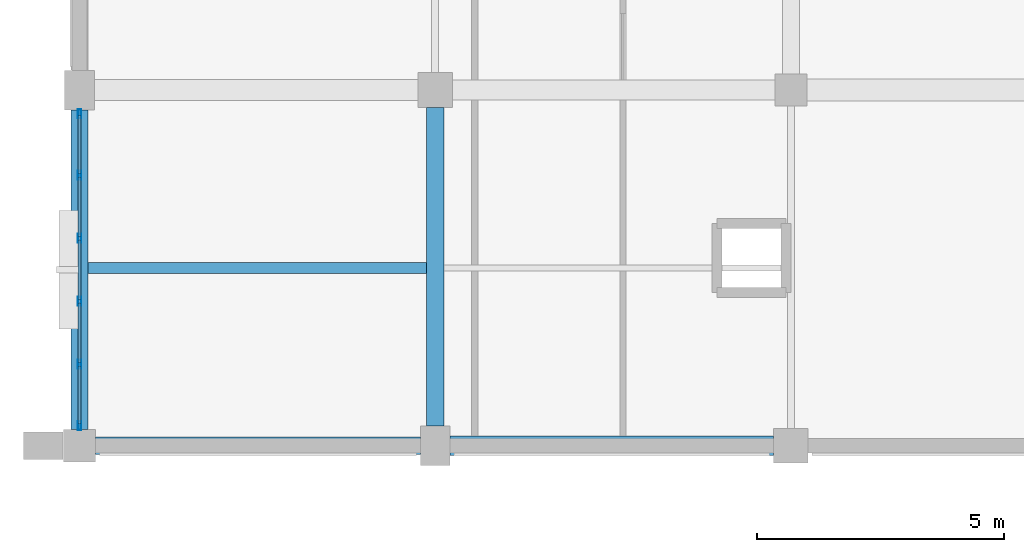
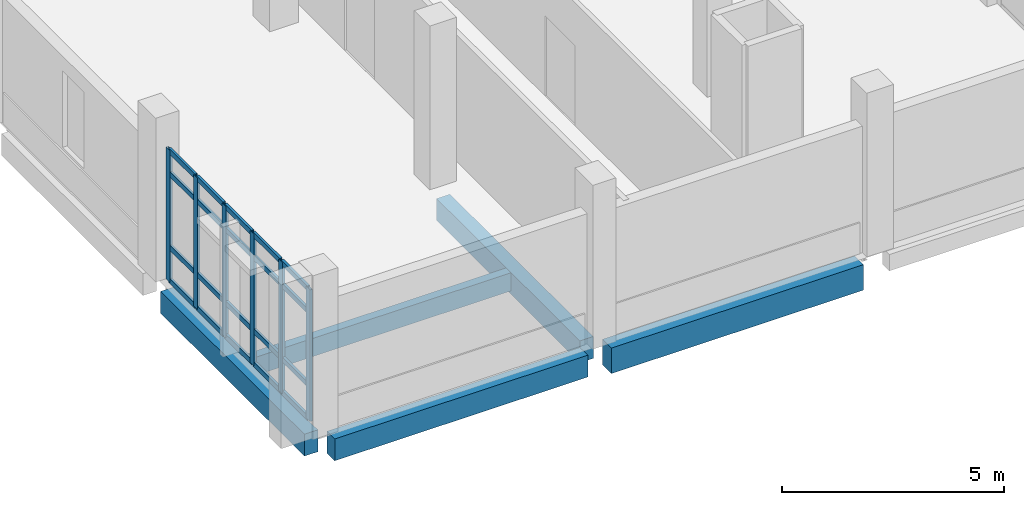
# One storey, part 9 of 134: 26 members, 5 beams, 1 element without a shape of its own.
"""IFC4 building model written with IfcOpenShell, lengths in metres."""

from ifc_helpers import new_model, si_unit, direction, frame, origin, origin_2d, place, context, subcontext, project, spatial, rectangle, hollow_rectangle, extrude, material, material_profile, profile_set, type_object, element, aggregate, save


model = new_model("IFC4")

# Units and contexts
model_context = context("Model", 3, precision=1e-05, world=origin(), true_north=direction((0.0, 1.0)))
body_context = subcontext(model_context, "Body", "Model", "MODEL_VIEW")
ifc_project = project(units=[si_unit("LENGTHUNIT", "METRE"), si_unit("AREAUNIT", "SQUARE_METRE"), si_unit("VOLUMEUNIT", "CUBIC_METRE"), si_unit("PLANEANGLEUNIT", "RADIAN"), si_unit("MASSUNIT", "GRAM", prefix="KILO")], contexts=[model_context])

# Site, building, storey
site_placement = place(None, origin())
site = spatial("IfcSite", under=ifc_project, at=site_placement, CompositionType="ELEMENT")
building_placement = place(site_placement, origin())
building = spatial("IfcBuilding", under=site, at=building_placement, Name="Kalluvel Institute of Natural Sciences", CompositionType="ELEMENT")
storey_placement = place(building_placement, frame((0.0, 0.0, 5.39990234375)))
storey = spatial("IfcBuildingStorey", under=building, at=storey_placement, Name="L01", CompositionType="ELEMENT", Elevation=5.39990234375)

# Beam
ifc_material_1 = material(Name="Concrete M40", Category="concrete")
ifc_material_profile_1 = material_profile(ifc_material_1, rectangle(XDim=0.35009765625, YDim=0.60009765625, at=origin_2d()), Name="RCB 350x600")
ifc_profile_set_1 = profile_set([ifc_material_profile_1], Name="Concrete M40")
beam_type_1 = type_object("IfcBeamType", Name="BM-RC350x600", PredefinedType="BEAM", material=ifc_profile_set_1)
beam_1_placement = place(storey_placement, frame((21.199951171875, 14.39990234375, -0.599853515625), z_axis=(0.0, 1.0, 0.0), x_axis=(-1.0, 0.0, 0.0)))
element("IfcBeam", 1, at=beam_1_placement, inside=storey, type_object=beam_type_1, Name="L01 girder GIR-L01-NS-X212-Y140", PredefinedType="BEAM", context=body_context, shape_type="SweptSolid", body=[
    extrude(rectangle(XDim=0.35009765625, YDim=0.60009765625, at=origin_2d()), origin(), (0.0, 0.0, 1.0), 6.4501953125),
])

# Curtain wall, members
ifc_material_2 = material(Name="Aluminium AW-6063 T6", Category="aluminium")
curtain_wall_type = type_object("IfcCurtainWallType", Name="CW-DRY-45", PredefinedType="USERDEFINED", material=ifc_material_2)
curtain_wall_placement = place(storey_placement, origin())
curtain_wall = element("IfcCurtainWall", 2, at=curtain_wall_placement, inside=storey, type_object=curtain_wall_type, Name="L01 Gothic lancet curtain wall CWA-L01-X140-Y144", ObjectType="UNITISED LANCET FACADE", PredefinedType="USERDEFINED")
ifc_material_profile_2 = material_profile(ifc_material_2, hollow_rectangle(XDim=0.06494140625, YDim=0.179931640625, WallThickness=0.00439453125, at=origin_2d()), Name="CWM 65x180")
ifc_profile_set_2 = profile_set([ifc_material_profile_2], Name="Aluminium AW-6063 T6")
member_type_1 = type_object("IfcMemberType", Name="CWM-65x180", PredefinedType="MULLION", material=ifc_profile_set_2)
member_1_placement = place(storey_placement, frame((14.0, 14.407470703125, 0.0), z_axis=(0.0, 0.0, 1.0), x_axis=(-1.0, 0.0, 0.0)))
member_1 = element("IfcMember", 3, at=member_1_placement, type_object=member_type_1, Name="CW-03 mullion 1", PredefinedType="MULLION", context=body_context, shape_type="SweptSolid", body=[
    extrude(hollow_rectangle(XDim=0.06494140625, YDim=0.179931640625, WallThickness=0.00439453125, at=origin_2d()), origin(), (0.0, 0.0, 1.0), 3.6201171875),
])
member_2_placement = place(storey_placement, frame((14.0, 15.64990234375, 0.0), z_axis=(0.0, 0.0, 1.0), x_axis=(-1.0, 0.0, 0.0)))
member_2 = element("IfcMember", 4, at=member_2_placement, type_object=member_type_1, Name="CW-03 mullion 2", PredefinedType="MULLION", context=body_context, shape_type="SweptSolid", body=[
    extrude(hollow_rectangle(XDim=0.06494140625, YDim=0.179931640625, WallThickness=0.00439453125, at=origin_2d()), origin(), (0.0, 0.0, 1.0), 3.6201171875),
])
member_3_placement = place(storey_placement, frame((14.0, 16.925048828125, 0.0), z_axis=(0.0, 0.0, 1.0), x_axis=(-1.0, 0.0, 0.0)))
member_3 = element("IfcMember", 5, at=member_3_placement, type_object=member_type_1, Name="CW-03 mullion 3", PredefinedType="MULLION", context=body_context, shape_type="SweptSolid", body=[
    extrude(hollow_rectangle(XDim=0.06494140625, YDim=0.179931640625, WallThickness=0.00439453125, at=origin_2d()), origin(), (0.0, 0.0, 1.0), 3.6201171875),
])
member_4_placement = place(storey_placement, frame((14.0, 18.199951171875, 0.0), z_axis=(0.0, 0.0, 1.0), x_axis=(-1.0, 0.0, 0.0)))
member_4 = element("IfcMember", 6, at=member_4_placement, type_object=member_type_1, Name="CW-03 mullion 4", PredefinedType="MULLION", context=body_context, shape_type="SweptSolid", body=[
    extrude(hollow_rectangle(XDim=0.06494140625, YDim=0.179931640625, WallThickness=0.00439453125, at=origin_2d()), origin(), (0.0, 0.0, 1.0), 3.6201171875),
])
member_5_placement = place(storey_placement, frame((14.0, 19.47509765625, 0.0), z_axis=(0.0, 0.0, 1.0), x_axis=(-1.0, 0.0, 0.0)))
member_5 = element("IfcMember", 7, at=member_5_placement, type_object=member_type_1, Name="CW-03 mullion 5", PredefinedType="MULLION", context=body_context, shape_type="SweptSolid", body=[
    extrude(hollow_rectangle(XDim=0.06494140625, YDim=0.179931640625, WallThickness=0.00439453125, at=origin_2d()), origin(), (0.0, 0.0, 1.0), 3.6201171875),
])
member_6_placement = place(storey_placement, frame((14.0, 20.717529296875, 0.0), z_axis=(0.0, 0.0, 1.0), x_axis=(-1.0, 0.0, 0.0)))
member_6 = element("IfcMember", 8, at=member_6_placement, type_object=member_type_1, Name="CW-03 mullion 6", PredefinedType="MULLION", context=body_context, shape_type="SweptSolid", body=[
    extrude(hollow_rectangle(XDim=0.06494140625, YDim=0.179931640625, WallThickness=0.00439453125, at=origin_2d()), origin(), (0.0, 0.0, 1.0), 3.6201171875),
])
ifc_material_profile_3 = material_profile(ifc_material_2, hollow_rectangle(XDim=0.06494140625, YDim=0.139892578125, WallThickness=0.00439453125, at=origin_2d()), Name="CWT 65x140")
ifc_profile_set_3 = profile_set([ifc_material_profile_3], Name="Aluminium AW-6063 T6")
member_type_2 = type_object("IfcMemberType", Name="CWT-65x140", PredefinedType="USERDEFINED", material=ifc_profile_set_3)
member_7_placement = place(storey_placement, frame((14.0, 14.43994140625, 0.03271484375), z_axis=(0.0, 1.0, 0.0), x_axis=(-1.0, 0.0, 0.0)))
member_7 = element("IfcMember", 9, at=member_7_placement, type_object=member_type_2, Name="CW-03 transom 1.1", ObjectType="TRANSOM", PredefinedType="USERDEFINED", context=body_context, shape_type="SweptSolid", body=[
    extrude(hollow_rectangle(XDim=0.06494140625, YDim=0.139892578125, WallThickness=0.00439453125, at=origin_2d()), origin(), (0.0, 0.0, 1.0), 1.177490234375),
])
member_8_placement = place(storey_placement, frame((14.0, 14.43994140625, 0.9501953125), z_axis=(0.0, 1.0, 0.0), x_axis=(-1.0, 0.0, 0.0)))
member_8 = element("IfcMember", 10, at=member_8_placement, type_object=member_type_2, Name="CW-03 transom 1.2", ObjectType="TRANSOM", PredefinedType="USERDEFINED", context=body_context, shape_type="SweptSolid", body=[
    extrude(hollow_rectangle(XDim=0.06494140625, YDim=0.139892578125, WallThickness=0.00439453125, at=origin_2d()), origin(), (0.0, 0.0, 1.0), 1.177490234375),
])
member_9_placement = place(storey_placement, frame((14.0, 14.43994140625, 2.97021484375), z_axis=(0.0, 1.0, 0.0), x_axis=(-1.0, 0.0, 0.0)))
member_9 = element("IfcMember", 11, at=member_9_placement, type_object=member_type_2, Name="CW-03 transom 1.3", ObjectType="TRANSOM", PredefinedType="USERDEFINED", context=body_context, shape_type="SweptSolid", body=[
    extrude(hollow_rectangle(XDim=0.06494140625, YDim=0.139892578125, WallThickness=0.00439453125, at=origin_2d()), origin(), (0.0, 0.0, 1.0), 1.177490234375),
])
member_10_placement = place(storey_placement, frame((14.0, 14.43994140625, 3.587646484375), z_axis=(0.0, 1.0, 0.0), x_axis=(-1.0, 0.0, 0.0)))
member_10 = element("IfcMember", 12, at=member_10_placement, type_object=member_type_2, Name="CW-03 transom 1.4", ObjectType="TRANSOM", PredefinedType="USERDEFINED", context=body_context, shape_type="SweptSolid", body=[
    extrude(hollow_rectangle(XDim=0.06494140625, YDim=0.139892578125, WallThickness=0.00439453125, at=origin_2d()), origin(), (0.0, 0.0, 1.0), 1.177490234375),
])
member_11_placement = place(storey_placement, frame((14.0, 15.6826171875, 0.03271484375), z_axis=(0.0, 1.0, 0.0), x_axis=(-1.0, 0.0, 0.0)))
member_11 = element("IfcMember", 13, at=member_11_placement, type_object=member_type_2, Name="CW-03 transom 2.1", ObjectType="TRANSOM", PredefinedType="USERDEFINED", context=body_context, shape_type="SweptSolid", body=[
    extrude(hollow_rectangle(XDim=0.06494140625, YDim=0.139892578125, WallThickness=0.00439453125, at=origin_2d()), origin(), (0.0, 0.0, 1.0), 1.2099609375),
])
member_12_placement = place(storey_placement, frame((14.0, 15.6826171875, 0.9501953125), z_axis=(0.0, 1.0, 0.0), x_axis=(-1.0, 0.0, 0.0)))
member_12 = element("IfcMember", 14, at=member_12_placement, type_object=member_type_2, Name="CW-03 transom 2.2", ObjectType="TRANSOM", PredefinedType="USERDEFINED", context=body_context, shape_type="SweptSolid", body=[
    extrude(hollow_rectangle(XDim=0.06494140625, YDim=0.139892578125, WallThickness=0.00439453125, at=origin_2d()), origin(), (0.0, 0.0, 1.0), 1.2099609375),
])
member_13_placement = place(storey_placement, frame((14.0, 15.6826171875, 2.97021484375), z_axis=(0.0, 1.0, 0.0), x_axis=(-1.0, 0.0, 0.0)))
member_13 = element("IfcMember", 15, at=member_13_placement, type_object=member_type_2, Name="CW-03 transom 2.3", ObjectType="TRANSOM", PredefinedType="USERDEFINED", context=body_context, shape_type="SweptSolid", body=[
    extrude(hollow_rectangle(XDim=0.06494140625, YDim=0.139892578125, WallThickness=0.00439453125, at=origin_2d()), origin(), (0.0, 0.0, 1.0), 1.2099609375),
])
member_14_placement = place(storey_placement, frame((14.0, 15.6826171875, 3.587646484375), z_axis=(0.0, 1.0, 0.0), x_axis=(-1.0, 0.0, 0.0)))
member_14 = element("IfcMember", 16, at=member_14_placement, type_object=member_type_2, Name="CW-03 transom 2.4", ObjectType="TRANSOM", PredefinedType="USERDEFINED", context=body_context, shape_type="SweptSolid", body=[
    extrude(hollow_rectangle(XDim=0.06494140625, YDim=0.139892578125, WallThickness=0.00439453125, at=origin_2d()), origin(), (0.0, 0.0, 1.0), 1.2099609375),
])
member_15_placement = place(storey_placement, frame((14.0, 16.95751953125, 0.03271484375), z_axis=(0.0, 1.0, 0.0), x_axis=(-1.0, 0.0, 0.0)))
member_15 = element("IfcMember", 17, at=member_15_placement, type_object=member_type_2, Name="CW-03 transom 3.1", ObjectType="TRANSOM", PredefinedType="USERDEFINED", context=body_context, shape_type="SweptSolid", body=[
    extrude(hollow_rectangle(XDim=0.06494140625, YDim=0.139892578125, WallThickness=0.00439453125, at=origin_2d()), origin(), (0.0, 0.0, 1.0), 1.2099609375),
])
member_16_placement = place(storey_placement, frame((14.0, 16.95751953125, 0.9501953125), z_axis=(0.0, 1.0, 0.0), x_axis=(-1.0, 0.0, 0.0)))
member_16 = element("IfcMember", 18, at=member_16_placement, type_object=member_type_2, Name="CW-03 transom 3.2", ObjectType="TRANSOM", PredefinedType="USERDEFINED", context=body_context, shape_type="SweptSolid", body=[
    extrude(hollow_rectangle(XDim=0.06494140625, YDim=0.139892578125, WallThickness=0.00439453125, at=origin_2d()), origin(), (0.0, 0.0, 1.0), 1.2099609375),
])
member_17_placement = place(storey_placement, frame((14.0, 16.95751953125, 2.97021484375), z_axis=(0.0, 1.0, 0.0), x_axis=(-1.0, 0.0, 0.0)))
member_17 = element("IfcMember", 19, at=member_17_placement, type_object=member_type_2, Name="CW-03 transom 3.3", ObjectType="TRANSOM", PredefinedType="USERDEFINED", context=body_context, shape_type="SweptSolid", body=[
    extrude(hollow_rectangle(XDim=0.06494140625, YDim=0.139892578125, WallThickness=0.00439453125, at=origin_2d()), origin(), (0.0, 0.0, 1.0), 1.2099609375),
])
member_18_placement = place(storey_placement, frame((14.0, 16.95751953125, 3.587646484375), z_axis=(0.0, 1.0, 0.0), x_axis=(-1.0, 0.0, 0.0)))
member_18 = element("IfcMember", 20, at=member_18_placement, type_object=member_type_2, Name="CW-03 transom 3.4", ObjectType="TRANSOM", PredefinedType="USERDEFINED", context=body_context, shape_type="SweptSolid", body=[
    extrude(hollow_rectangle(XDim=0.06494140625, YDim=0.139892578125, WallThickness=0.00439453125, at=origin_2d()), origin(), (0.0, 0.0, 1.0), 1.2099609375),
])
member_19_placement = place(storey_placement, frame((14.0, 18.232421875, 0.03271484375), z_axis=(0.0, 1.0, 0.0), x_axis=(-1.0, 0.0, 0.0)))
member_19 = element("IfcMember", 21, at=member_19_placement, type_object=member_type_2, Name="CW-03 transom 4.1", ObjectType="TRANSOM", PredefinedType="USERDEFINED", context=body_context, shape_type="SweptSolid", body=[
    extrude(hollow_rectangle(XDim=0.06494140625, YDim=0.139892578125, WallThickness=0.00439453125, at=origin_2d()), origin(), (0.0, 0.0, 1.0), 1.2099609375),
])
member_20_placement = place(storey_placement, frame((14.0, 18.232421875, 0.9501953125), z_axis=(0.0, 1.0, 0.0), x_axis=(-1.0, 0.0, 0.0)))
member_20 = element("IfcMember", 22, at=member_20_placement, type_object=member_type_2, Name="CW-03 transom 4.2", ObjectType="TRANSOM", PredefinedType="USERDEFINED", context=body_context, shape_type="SweptSolid", body=[
    extrude(hollow_rectangle(XDim=0.06494140625, YDim=0.139892578125, WallThickness=0.00439453125, at=origin_2d()), origin(), (0.0, 0.0, 1.0), 1.2099609375),
])
member_21_placement = place(storey_placement, frame((14.0, 18.232421875, 2.97021484375), z_axis=(0.0, 1.0, 0.0), x_axis=(-1.0, 0.0, 0.0)))
member_21 = element("IfcMember", 23, at=member_21_placement, type_object=member_type_2, Name="CW-03 transom 4.3", ObjectType="TRANSOM", PredefinedType="USERDEFINED", context=body_context, shape_type="SweptSolid", body=[
    extrude(hollow_rectangle(XDim=0.06494140625, YDim=0.139892578125, WallThickness=0.00439453125, at=origin_2d()), origin(), (0.0, 0.0, 1.0), 1.2099609375),
])
member_22_placement = place(storey_placement, frame((14.0, 18.232421875, 3.587646484375), z_axis=(0.0, 1.0, 0.0), x_axis=(-1.0, 0.0, 0.0)))
member_22 = element("IfcMember", 24, at=member_22_placement, type_object=member_type_2, Name="CW-03 transom 4.4", ObjectType="TRANSOM", PredefinedType="USERDEFINED", context=body_context, shape_type="SweptSolid", body=[
    extrude(hollow_rectangle(XDim=0.06494140625, YDim=0.139892578125, WallThickness=0.00439453125, at=origin_2d()), origin(), (0.0, 0.0, 1.0), 1.2099609375),
])
member_23_placement = place(storey_placement, frame((14.0, 19.507568359375, 0.03271484375), z_axis=(0.0, 1.0, 0.0), x_axis=(-1.0, 0.0, 0.0)))
member_23 = element("IfcMember", 25, at=member_23_placement, type_object=member_type_2, Name="CW-03 transom 5.1", ObjectType="TRANSOM", PredefinedType="USERDEFINED", context=body_context, shape_type="SweptSolid", body=[
    extrude(hollow_rectangle(XDim=0.06494140625, YDim=0.139892578125, WallThickness=0.00439453125, at=origin_2d()), origin(), (0.0, 0.0, 1.0), 1.177490234375),
])
member_24_placement = place(storey_placement, frame((14.0, 19.507568359375, 0.9501953125), z_axis=(0.0, 1.0, 0.0), x_axis=(-1.0, 0.0, 0.0)))
member_24 = element("IfcMember", 26, at=member_24_placement, type_object=member_type_2, Name="CW-03 transom 5.2", ObjectType="TRANSOM", PredefinedType="USERDEFINED", context=body_context, shape_type="SweptSolid", body=[
    extrude(hollow_rectangle(XDim=0.06494140625, YDim=0.139892578125, WallThickness=0.00439453125, at=origin_2d()), origin(), (0.0, 0.0, 1.0), 1.177490234375),
])
member_25_placement = place(storey_placement, frame((14.0, 19.507568359375, 2.97021484375), z_axis=(0.0, 1.0, 0.0), x_axis=(-1.0, 0.0, 0.0)))
member_25 = element("IfcMember", 27, at=member_25_placement, type_object=member_type_2, Name="CW-03 transom 5.3", ObjectType="TRANSOM", PredefinedType="USERDEFINED", context=body_context, shape_type="SweptSolid", body=[
    extrude(hollow_rectangle(XDim=0.06494140625, YDim=0.139892578125, WallThickness=0.00439453125, at=origin_2d()), origin(), (0.0, 0.0, 1.0), 1.177490234375),
])
member_26_placement = place(storey_placement, frame((14.0, 19.507568359375, 3.587646484375), z_axis=(0.0, 1.0, 0.0), x_axis=(-1.0, 0.0, 0.0)))
member_26 = element("IfcMember", 28, at=member_26_placement, type_object=member_type_2, Name="CW-03 transom 5.4", ObjectType="TRANSOM", PredefinedType="USERDEFINED", context=body_context, shape_type="SweptSolid", body=[
    extrude(hollow_rectangle(XDim=0.06494140625, YDim=0.139892578125, WallThickness=0.00439453125, at=origin_2d()), origin(), (0.0, 0.0, 1.0), 1.177490234375),
])
aggregate(curtain_wall, [member_1, member_2, member_3, member_4, member_5, member_6, member_7, member_8, member_9, member_10, member_11, member_12, member_13, member_14, member_15, member_16, member_17, member_18, member_19, member_20, member_21, member_22, member_23, member_24, member_25, member_26])

# Beams
ifc_material_profile_4 = material_profile(ifc_material_1, rectangle(XDim=0.35009765625, YDim=0.60009765625, at=origin_2d()), Name="RCB 350x600")
ifc_profile_set_4 = profile_set([ifc_material_profile_4], Name="Concrete M40")
beam_type_2 = type_object("IfcBeamType", Name="SP-RC350x600", PredefinedType="SPANDREL", material=ifc_profile_set_4)
beam_2_placement = place(storey_placement, frame((14.324951171875, 14.0, -0.599853515625), z_axis=(1.0, 0.0, 0.0), x_axis=(0.0, 1.0, 0.0)))
element("IfcBeam", 29, at=beam_2_placement, inside=storey, type_object=beam_type_2, Name="L01 girder GIR-L01-EW-X140-Y140", PredefinedType="SPANDREL", context=body_context, shape_type="SweptSolid", body=[
    extrude(rectangle(XDim=0.35009765625, YDim=0.60009765625, at=origin_2d()), origin(), (0.0, 0.0, 1.0), 6.574951171875),
])
beam_3_placement = place(storey_placement, frame((14.0, 14.324951171875, -0.599853515625), z_axis=(0.0, 1.0, 0.0), x_axis=(-1.0, 0.0, 0.0)))
element("IfcBeam", 30, at=beam_3_placement, inside=storey, type_object=beam_type_2, Name="L01 girder GIR-L01-NS-X140-Y140", PredefinedType="SPANDREL", context=body_context, shape_type="SweptSolid", body=[
    extrude(rectangle(XDim=0.35009765625, YDim=0.60009765625, at=origin_2d()), origin(), (0.0, 0.0, 1.0), 6.47509765625),
])
ifc_material_profile_5 = material_profile(ifc_material_1, rectangle(XDim=0.39990234375, YDim=0.699951171875, at=origin_2d()), Name="RCB 400x700")
ifc_profile_set_5 = profile_set([ifc_material_profile_5], Name="Concrete M40")
beam_type_3 = type_object("IfcBeamType", Name="SP-RC400x700", PredefinedType="SPANDREL", material=ifc_profile_set_5)
beam_4_placement = place(storey_placement, frame((21.5, 14.0, -0.64990234375), z_axis=(1.0, 0.0, 0.0), x_axis=(0.0, 1.0, 0.0)))
element("IfcBeam", 31, at=beam_4_placement, inside=storey, type_object=beam_type_3, Name="L01 girder GIR-L01-EW-X212-Y140", PredefinedType="SPANDREL", context=body_context, shape_type="SweptSolid", body=[
    extrude(rectangle(XDim=0.39990234375, YDim=0.699951171875, at=origin_2d()), origin(), (0.0, 0.0, 1.0), 6.550048828125),
])
ifc_material_profile_6 = material_profile(ifc_material_1, rectangle(XDim=0.219970703125, YDim=0.5, at=origin_2d()), Name="WAF 220x500")
ifc_profile_set_6 = profile_set([ifc_material_profile_6], Name="Concrete M40")
beam_type_4 = type_object("IfcBeamType", Name="WJ-220x500", PredefinedType="JOIST", material=ifc_profile_set_6)
beam_5_placement = place(storey_placement, frame((14.175048828125, 17.60009765625, -0.5498046875), z_axis=(1.0, 0.0, 0.0), x_axis=(0.0, 1.0, 0.0)))
element("IfcBeam", 32, at=beam_5_placement, inside=storey, type_object=beam_type_4, Name="L01 floor rib RIB-L01-0626", PredefinedType="JOIST", context=body_context, shape_type="SweptSolid", body=[
    extrude(rectangle(XDim=0.219970703125, YDim=0.5, at=origin_2d()), origin(), (0.0, 0.0, 1.0), 6.849853515625),
])

save(model, "model.ifc")
